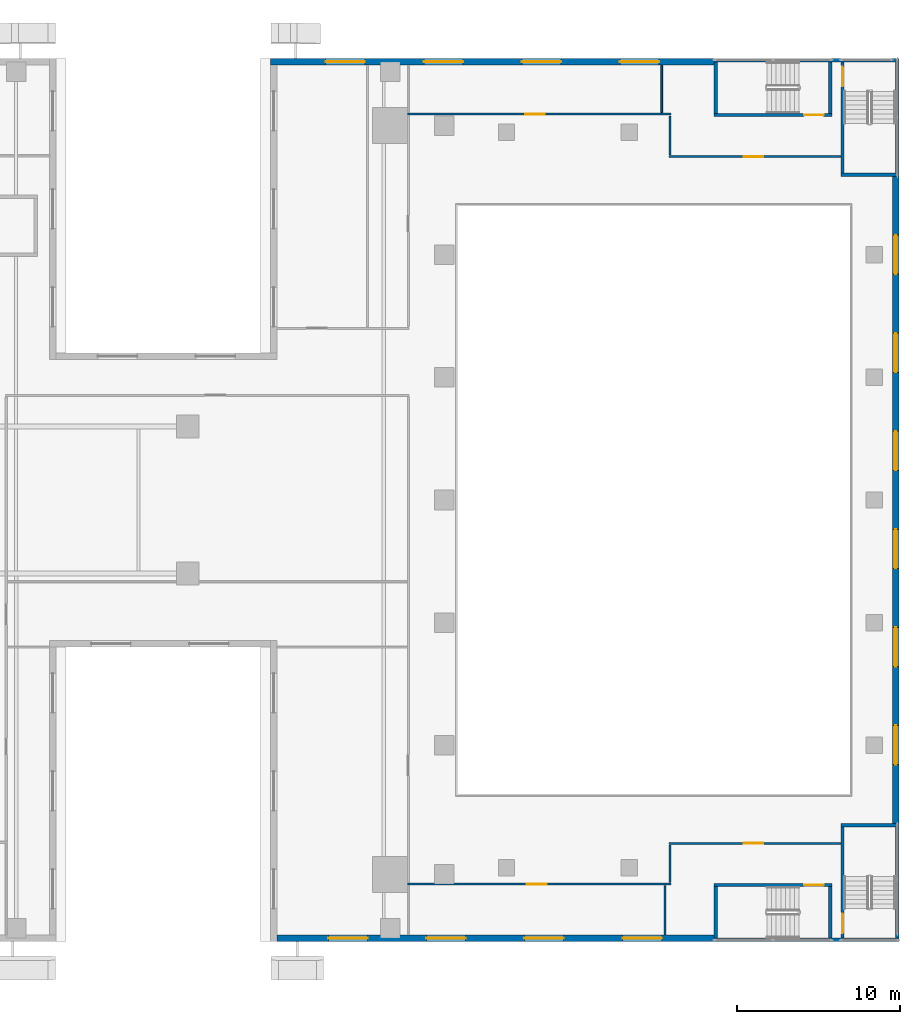
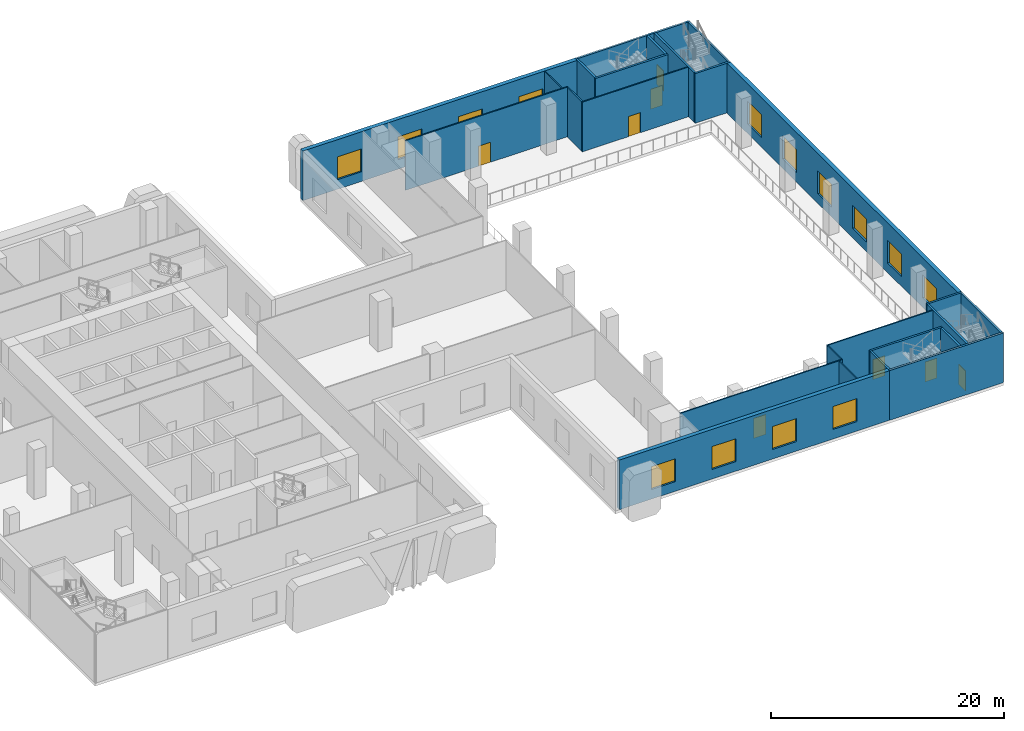
# One storey, part 14 of 23: 25 walls, 14 windows, 8 doors, 22 openings.
"""IFC4 building model written with IfcOpenShell, lengths in metres."""

from ifc_helpers import new_model, si_unit, direction, frame, frame_2d, origin, place, context, subcontext, project, spatial, rectangle, extrude, source, transform, mapped, material, layer, layer_set, type_object, element, fill, save


model = new_model("IFC4")

# Units and contexts
model_context = context("Model", 3, precision=1e-05, world=origin(), true_north=direction((0.0, 1.0)))
body_context = subcontext(model_context, "Body", "Model", "MODEL_VIEW")
ifc_project = project(units=[si_unit("LENGTHUNIT", "METRE"), si_unit("AREAUNIT", "SQUARE_METRE"), si_unit("VOLUMEUNIT", "CUBIC_METRE"), si_unit("PLANEANGLEUNIT", "RADIAN"), si_unit("MASSUNIT", "GRAM", prefix="KILO")], contexts=[model_context])

# Site, building, storey
site_placement = place(None, origin())
site = spatial("IfcSite", under=ifc_project, at=site_placement, CompositionType="ELEMENT")
building_placement = place(site_placement, origin())
building = spatial("IfcBuilding", under=site, at=building_placement, Name="Khomas Fold Tower", CompositionType="ELEMENT")
storey_placement = place(building_placement, frame((0.0, 0.0, 7.5)))
storey = spatial("IfcBuildingStorey", under=building, at=storey_placement, Name="L01", CompositionType="ELEMENT", Elevation=7.5)

# Wall, openings, windows
ifc_material_1 = material(Name="Concrete C40/50", Category="concrete")
ifc_layer_1 = layer(ifc_material_1, 0.39990234375)
ifc_layer_set_1 = layer_set([ifc_layer_1], Name="Concrete C40/50")
wall_type_1 = type_object("IfcWallType", Name="Stone-clad concrete wall 400", PredefinedType="SOLIDWALL", material=ifc_layer_set_1)
shared_shape_1 = source(origin(), body_context, "Body", "SweptSolid", [
    extrude(rectangle(XDim=26.739990234375, YDim=0.39990234375, at=frame_2d((13.3701171875, 0.0))), origin(), (0.0, 0.0, 1.0), 5.199951171875),
])
wall_1_placement = place(storey_placement, frame((42.949951171875, 0.199951171875, 0.0), z_axis=(0.0, 0.0, 1.0), x_axis=(1.0, 0.0, 0.0)))
wall_1 = element("IfcWall", 1, at=wall_1_placement, inside=storey, type_object=wall_type_1, Name="Podium wall", PredefinedType="SOLIDWALL", context=body_context, shape_type="MappedRepresentation", body=[
    mapped(shared_shape_1, transform((0.0, 0.0, 0.0))),
])
shared_shape_2 = source(origin(), body_context, "Body", "SweptSolid", [
    extrude(rectangle(XDim=2.39990234375, YDim=2.39990234375, at=frame_2d((1.199951171875, 1.199951171875))), frame((0.0, 0.2099609375, 0.0), z_axis=(0.0, -1.0, 0.0), x_axis=(1.0, 0.0, 0.0)), (0.0, 0.0, 1.0), 0.419921875),
])
opening_1_placement = place(wall_1_placement, frame((3.14990234375, 0.0, 1.0)))
opening_1 = element("IfcOpeningElement", 2, at=opening_1_placement, cuts=wall_1, Name="Opening PD-WN", PredefinedType="OPENING", context=body_context, shape_type="MappedRepresentation", body=[
    mapped(shared_shape_2, transform((0.0, 0.0, 0.0))),
])
opening_2_placement = place(wall_1_placement, frame((9.14990234375, 0.0, 1.0)))
opening_2 = element("IfcOpeningElement", 3, at=opening_2_placement, cuts=wall_1, Name="Opening PD-WN", PredefinedType="OPENING", context=body_context, shape_type="MappedRepresentation", body=[
    mapped(shared_shape_2, transform((0.0, 0.0, 0.0))),
])
opening_3_placement = place(wall_1_placement, frame((15.14990234375, 0.0, 1.0)))
opening_3 = element("IfcOpeningElement", 4, at=opening_3_placement, cuts=wall_1, Name="Opening PD-WN", PredefinedType="OPENING", context=body_context, shape_type="MappedRepresentation", body=[
    mapped(shared_shape_2, transform((0.0, 0.0, 0.0))),
])
opening_4_placement = place(wall_1_placement, frame((21.14990234375, 0.0, 1.0)))
opening_4 = element("IfcOpeningElement", 5, at=opening_4_placement, cuts=wall_1, Name="Opening PD-WN", PredefinedType="OPENING", context=body_context, shape_type="MappedRepresentation", body=[
    mapped(shared_shape_2, transform((0.0, 0.0, 0.0))),
])
ifc_material_2 = material(Name="Aluminium framed double glazing", Category="aluminium")
window_type = type_object("IfcWindowType", Name="Podium window 2400 x 2400", PartitioningType="SINGLE_PANEL", PredefinedType="WINDOW", material=ifc_material_2)
shared_shape_3 = source(origin(), body_context, "Body", "SweptSolid", [
    extrude(rectangle(XDim=2.39990234375, YDim=2.39990234375, at=frame_2d((1.199951171875, 1.199951171875))), frame((0.0, 0.030029296875, 0.0), z_axis=(0.0, -1.0, 0.0), x_axis=(1.0, 0.0, 0.0)), (0.0, 0.0, 1.0), 0.06005859375),
])
window_1_placement = place(opening_1_placement, origin())
window_1 = element("IfcWindow", 6, at=window_1_placement, inside=storey, type_object=window_type, Name="Podium window", OverallHeight=2.39990234375, OverallWidth=2.39990234375, PartitioningType="SINGLE_PANEL", PredefinedType="WINDOW", context=body_context, shape_type="MappedRepresentation", body=[
    mapped(shared_shape_3, transform((0.0, 0.0, 0.0))),
])
fill(opening_1, window_1)
window_2_placement = place(opening_2_placement, origin())
window_2 = element("IfcWindow", 7, at=window_2_placement, inside=storey, type_object=window_type, Name="Podium window", OverallHeight=2.39990234375, OverallWidth=2.39990234375, PartitioningType="SINGLE_PANEL", PredefinedType="WINDOW", context=body_context, shape_type="MappedRepresentation", body=[
    mapped(shared_shape_3, transform((0.0, 0.0, 0.0))),
])
fill(opening_2, window_2)
window_3_placement = place(opening_3_placement, origin())
window_3 = element("IfcWindow", 8, at=window_3_placement, inside=storey, type_object=window_type, Name="Podium window", OverallHeight=2.39990234375, OverallWidth=2.39990234375, PartitioningType="SINGLE_PANEL", PredefinedType="WINDOW", context=body_context, shape_type="MappedRepresentation", body=[
    mapped(shared_shape_3, transform((0.0, 0.0, 0.0))),
])
fill(opening_3, window_3)
window_4_placement = place(opening_4_placement, origin())
window_4 = element("IfcWindow", 9, at=window_4_placement, inside=storey, type_object=window_type, Name="Podium window", OverallHeight=2.39990234375, OverallWidth=2.39990234375, PartitioningType="SINGLE_PANEL", PredefinedType="WINDOW", context=body_context, shape_type="MappedRepresentation", body=[
    mapped(shared_shape_3, transform((0.0, 0.0, 0.0))),
])
fill(opening_4, window_4)

shared_shape_4 = source(origin(), body_context, "Body", "SweptSolid", [
    extrude(rectangle(XDim=39.580078125, YDim=0.39990234375, at=frame_2d((19.7900390625, 0.0))), origin(), (0.0, 0.0, 1.0), 5.199951171875),
])
wall_2_placement = place(storey_placement, frame((80.800048828125, 7.2099609375, 0.0), z_axis=(0.0, 0.0, 1.0), x_axis=(0.0, 1.0, 0.0)))
wall_2 = element("IfcWall", 10, at=wall_2_placement, inside=storey, type_object=wall_type_1, Name="Podium wall", PredefinedType="SOLIDWALL", context=body_context, shape_type="MappedRepresentation", body=[
    mapped(shared_shape_4, transform((0.0, 0.0, 0.0))),
])
opening_5_placement = place(wall_2_placement, frame((3.60009765625, 0.0, 1.0)))
opening_5 = element("IfcOpeningElement", 11, at=opening_5_placement, cuts=wall_2, Name="Opening PD-WN", PredefinedType="OPENING", context=body_context, shape_type="MappedRepresentation", body=[
    mapped(shared_shape_2, transform((0.0, 0.0, 0.0))),
])
opening_6_placement = place(wall_2_placement, frame((9.60009765625, 0.0, 1.0)))
opening_6 = element("IfcOpeningElement", 12, at=opening_6_placement, cuts=wall_2, Name="Opening PD-WN", PredefinedType="OPENING", context=body_context, shape_type="MappedRepresentation", body=[
    mapped(shared_shape_2, transform((0.0, 0.0, 0.0))),
])
opening_7_placement = place(wall_2_placement, frame((15.60009765625, 0.0, 1.0)))
opening_7 = element("IfcOpeningElement", 13, at=opening_7_placement, cuts=wall_2, Name="Opening PD-WN", PredefinedType="OPENING", context=body_context, shape_type="MappedRepresentation", body=[
    mapped(shared_shape_2, transform((0.0, 0.0, 0.0))),
])
opening_8_placement = place(wall_2_placement, frame((21.60009765625, 0.0, 1.0)))
opening_8 = element("IfcOpeningElement", 14, at=opening_8_placement, cuts=wall_2, Name="Opening PD-WN", PredefinedType="OPENING", context=body_context, shape_type="MappedRepresentation", body=[
    mapped(shared_shape_2, transform((0.0, 0.0, 0.0))),
])
opening_9_placement = place(wall_2_placement, frame((27.60009765625, 0.0, 1.0)))
opening_9 = element("IfcOpeningElement", 15, at=opening_9_placement, cuts=wall_2, Name="Opening PD-WN", PredefinedType="OPENING", context=body_context, shape_type="MappedRepresentation", body=[
    mapped(shared_shape_2, transform((0.0, 0.0, 0.0))),
])
opening_10_placement = place(wall_2_placement, frame((33.60009765625, 0.0, 1.0)))
opening_10 = element("IfcOpeningElement", 16, at=opening_10_placement, cuts=wall_2, Name="Opening PD-WN", PredefinedType="OPENING", context=body_context, shape_type="MappedRepresentation", body=[
    mapped(shared_shape_2, transform((0.0, 0.0, 0.0))),
])
window_5_placement = place(opening_5_placement, origin())
window_5 = element("IfcWindow", 17, at=window_5_placement, inside=storey, type_object=window_type, Name="Podium window", OverallHeight=2.39990234375, OverallWidth=2.39990234375, PartitioningType="SINGLE_PANEL", PredefinedType="WINDOW", context=body_context, shape_type="MappedRepresentation", body=[
    mapped(shared_shape_3, transform((0.0, 0.0, 0.0))),
])
fill(opening_5, window_5)
window_6_placement = place(opening_6_placement, origin())
window_6 = element("IfcWindow", 18, at=window_6_placement, inside=storey, type_object=window_type, Name="Podium window", OverallHeight=2.39990234375, OverallWidth=2.39990234375, PartitioningType="SINGLE_PANEL", PredefinedType="WINDOW", context=body_context, shape_type="MappedRepresentation", body=[
    mapped(shared_shape_3, transform((0.0, 0.0, 0.0))),
])
fill(opening_6, window_6)
window_7_placement = place(opening_7_placement, origin())
window_7 = element("IfcWindow", 19, at=window_7_placement, inside=storey, type_object=window_type, Name="Podium window", OverallHeight=2.39990234375, OverallWidth=2.39990234375, PartitioningType="SINGLE_PANEL", PredefinedType="WINDOW", context=body_context, shape_type="MappedRepresentation", body=[
    mapped(shared_shape_3, transform((0.0, 0.0, 0.0))),
])
fill(opening_7, window_7)
window_8_placement = place(opening_8_placement, origin())
window_8 = element("IfcWindow", 20, at=window_8_placement, inside=storey, type_object=window_type, Name="Podium window", OverallHeight=2.39990234375, OverallWidth=2.39990234375, PartitioningType="SINGLE_PANEL", PredefinedType="WINDOW", context=body_context, shape_type="MappedRepresentation", body=[
    mapped(shared_shape_3, transform((0.0, 0.0, 0.0))),
])
fill(opening_8, window_8)
window_9_placement = place(opening_9_placement, origin())
window_9 = element("IfcWindow", 21, at=window_9_placement, inside=storey, type_object=window_type, Name="Podium window", OverallHeight=2.39990234375, OverallWidth=2.39990234375, PartitioningType="SINGLE_PANEL", PredefinedType="WINDOW", context=body_context, shape_type="MappedRepresentation", body=[
    mapped(shared_shape_3, transform((0.0, 0.0, 0.0))),
])
fill(opening_9, window_9)
window_10_placement = place(opening_10_placement, origin())
window_10 = element("IfcWindow", 22, at=window_10_placement, inside=storey, type_object=window_type, Name="Podium window", OverallHeight=2.39990234375, OverallWidth=2.39990234375, PartitioningType="SINGLE_PANEL", PredefinedType="WINDOW", context=body_context, shape_type="MappedRepresentation", body=[
    mapped(shared_shape_3, transform((0.0, 0.0, 0.0))),
])
fill(opening_10, window_10)

shared_shape_5 = source(origin(), body_context, "Body", "SweptSolid", [
    extrude(rectangle(XDim=27.139892578125, YDim=0.39990234375, at=frame_2d((13.56982421875, 0.0))), origin(), (0.0, 0.0, 1.0), 5.199951171875),
])
wall_3_placement = place(storey_placement, frame((69.68994140625, 53.800048828125, 0.0), z_axis=(0.0, 0.0, 1.0), x_axis=(-1.0, 0.0, 0.0)))
wall_3 = element("IfcWall", 23, at=wall_3_placement, inside=storey, type_object=wall_type_1, Name="Podium wall", PredefinedType="SOLIDWALL", context=body_context, shape_type="MappedRepresentation", body=[
    mapped(shared_shape_5, transform((0.0, 0.0, 0.0))),
])
opening_11_placement = place(wall_3_placement, frame((3.35009765625, 0.0, 1.0)))
opening_11 = element("IfcOpeningElement", 24, at=opening_11_placement, cuts=wall_3, Name="Opening PD-WN", PredefinedType="OPENING", context=body_context, shape_type="MappedRepresentation", body=[
    mapped(shared_shape_2, transform((0.0, 0.0, 0.0))),
])
opening_12_placement = place(wall_3_placement, frame((9.35009765625, 0.0, 1.0)))
opening_12 = element("IfcOpeningElement", 25, at=opening_12_placement, cuts=wall_3, Name="Opening PD-WN", PredefinedType="OPENING", context=body_context, shape_type="MappedRepresentation", body=[
    mapped(shared_shape_2, transform((0.0, 0.0, 0.0))),
])
opening_13_placement = place(wall_3_placement, frame((15.35009765625, 0.0, 1.0)))
opening_13 = element("IfcOpeningElement", 26, at=opening_13_placement, cuts=wall_3, Name="Opening PD-WN", PredefinedType="OPENING", context=body_context, shape_type="MappedRepresentation", body=[
    mapped(shared_shape_2, transform((0.0, 0.0, 0.0))),
])
opening_14_placement = place(wall_3_placement, frame((21.35009765625, 0.0, 1.0)))
opening_14 = element("IfcOpeningElement", 27, at=opening_14_placement, cuts=wall_3, Name="Opening PD-WN", PredefinedType="OPENING", context=body_context, shape_type="MappedRepresentation", body=[
    mapped(shared_shape_2, transform((0.0, 0.0, 0.0))),
])
window_11_placement = place(opening_11_placement, origin())
window_11 = element("IfcWindow", 28, at=window_11_placement, inside=storey, type_object=window_type, Name="Podium window", OverallHeight=2.39990234375, OverallWidth=2.39990234375, PartitioningType="SINGLE_PANEL", PredefinedType="WINDOW", context=body_context, shape_type="MappedRepresentation", body=[
    mapped(shared_shape_3, transform((0.0, 0.0, 0.0))),
])
fill(opening_11, window_11)
window_12_placement = place(opening_12_placement, origin())
window_12 = element("IfcWindow", 29, at=window_12_placement, inside=storey, type_object=window_type, Name="Podium window", OverallHeight=2.39990234375, OverallWidth=2.39990234375, PartitioningType="SINGLE_PANEL", PredefinedType="WINDOW", context=body_context, shape_type="MappedRepresentation", body=[
    mapped(shared_shape_3, transform((0.0, 0.0, 0.0))),
])
fill(opening_12, window_12)
window_13_placement = place(opening_13_placement, origin())
window_13 = element("IfcWindow", 30, at=window_13_placement, inside=storey, type_object=window_type, Name="Podium window", OverallHeight=2.39990234375, OverallWidth=2.39990234375, PartitioningType="SINGLE_PANEL", PredefinedType="WINDOW", context=body_context, shape_type="MappedRepresentation", body=[
    mapped(shared_shape_3, transform((0.0, 0.0, 0.0))),
])
fill(opening_13, window_13)
window_14_placement = place(opening_14_placement, origin())
window_14 = element("IfcWindow", 31, at=window_14_placement, inside=storey, type_object=window_type, Name="Podium window", OverallHeight=2.39990234375, OverallWidth=2.39990234375, PartitioningType="SINGLE_PANEL", PredefinedType="WINDOW", context=body_context, shape_type="MappedRepresentation", body=[
    mapped(shared_shape_3, transform((0.0, 0.0, 0.0))),
])
fill(opening_14, window_14)

# Wall, opening, door
ifc_material_3 = material(Name="Concrete C30/37", Category="concrete")
ifc_layer_2 = layer(ifc_material_3, 0.199951171875)
ifc_layer_set_2 = layer_set([ifc_layer_2], Name="Concrete C30/37")
wall_type_2 = type_object("IfcWallType", Name="Stair wall PW5 200", PredefinedType="PARTITIONING", material=ifc_layer_set_2)
shared_shape_6 = source(origin(), body_context, "Body", "SweptSolid", [
    extrude(rectangle(XDim=7.199951171875, YDim=0.199951171875, at=frame_2d((3.60009765625, 0.0))), origin(), (0.0, 0.0, 1.0), 5.199951171875),
])
wall_4_placement = place(storey_placement, frame((69.699951171875, 3.449951171875, 0.0), z_axis=(0.0, 0.0, 1.0), x_axis=(1.0, 0.0, 0.0)))
wall_4 = element("IfcWall", 32, at=wall_4_placement, inside=storey, type_object=wall_type_2, Name="Stair wall", PredefinedType="PARTITIONING", context=body_context, shape_type="MappedRepresentation", body=[
    mapped(shared_shape_6, transform((0.0, 0.0, 0.0))),
])
shared_shape_7 = source(origin(), body_context, "Body", "SweptSolid", [
    extrude(rectangle(XDim=1.199951171875, YDim=2.10009765625, at=frame_2d((0.60009765625, 1.050048828125))), frame((0.0, 0.10986328125, 0.0), z_axis=(0.0, -1.0, 0.0), x_axis=(1.0, 0.0, 0.0)), (0.0, 0.0, 1.0), 0.219970703125),
])
opening_15_placement = place(wall_4_placement, frame((5.5, 0.0, 0.0)))
opening_15 = element("IfcOpeningElement", 33, at=opening_15_placement, cuts=wall_4, Name="Opening 0018", PredefinedType="OPENING", context=body_context, shape_type="MappedRepresentation", body=[
    mapped(shared_shape_7, transform((0.0, 0.0, 0.0))),
])
ifc_material_4 = material(Name="Steel door leaf", Category="steel")
door_type_1 = type_object("IfcDoorType", Name="Stair door 1200x2100 right-hand", OperationType="SINGLE_SWING_RIGHT", PredefinedType="DOOR", material=ifc_material_4)
shared_shape_8 = source(origin(), body_context, "Body", "SweptSolid", [
    extrude(rectangle(XDim=1.199951171875, YDim=2.10009765625, at=frame_2d((0.60009765625, 1.050048828125))), frame((0.0, 0.02490234375, 0.0), z_axis=(0.0, -1.0, 0.0), x_axis=(1.0, 0.0, 0.0)), (0.0, 0.0, 1.0), 0.050048828125),
])
door_1_placement = place(opening_15_placement, origin())
door_1 = element("IfcDoor", 34, at=door_1_placement, inside=storey, type_object=door_type_1, Name="Stair door", OperationType="SINGLE_SWING_RIGHT", OverallHeight=2.10009765625, OverallWidth=1.199951171875, PredefinedType="DOOR", context=body_context, shape_type="MappedRepresentation", body=[
    mapped(shared_shape_8, transform((0.0, 0.0, 0.0))),
])
fill(opening_15, door_1)

wall_5_placement = place(storey_placement, frame((69.699951171875, 50.550048828125, 0.0), z_axis=(0.0, 0.0, 1.0), x_axis=(1.0, 0.0, 0.0)))
wall_5 = element("IfcWall", 35, at=wall_5_placement, inside=storey, type_object=wall_type_2, Name="Stair wall", PredefinedType="PARTITIONING", context=body_context, shape_type="MappedRepresentation", body=[
    mapped(shared_shape_6, transform((0.0, 0.0, 0.0))),
])
opening_16_placement = place(wall_5_placement, frame((5.5, 0.0, 0.0)))
opening_16 = element("IfcOpeningElement", 36, at=opening_16_placement, cuts=wall_5, Name="Opening 0017", PredefinedType="OPENING", context=body_context, shape_type="MappedRepresentation", body=[
    mapped(shared_shape_7, transform((0.0, 0.0, 0.0))),
])
ifc_material_5 = material(Name="Steel door leaf", Category="steel")
door_type_2 = type_object("IfcDoorType", Name="Stair door 1200x2100 left-hand", OperationType="SINGLE_SWING_LEFT", PredefinedType="DOOR", material=ifc_material_5)
door_2_placement = place(opening_16_placement, origin())
door_2 = element("IfcDoor", 37, at=door_2_placement, inside=storey, type_object=door_type_2, Name="Stair door", OperationType="SINGLE_SWING_LEFT", OverallHeight=2.10009765625, OverallWidth=1.199951171875, PredefinedType="DOOR", context=body_context, shape_type="MappedRepresentation", body=[
    mapped(shared_shape_8, transform((0.0, 0.0, 0.0))),
])
fill(opening_16, door_2)

# Walls
shared_shape_9 = source(origin(), body_context, "Body", "SweptSolid", [
    extrude(rectangle(XDim=3.150146484375, YDim=0.199951171875, at=frame_2d((1.5751953125, 0.0))), origin(), (0.0, 0.0, 1.0), 5.199951171875),
])
for number, where, z_axis, x_axis, name in (
    (38, (69.800048828125, 0.199951171875, 0.0), (0.0, 0.0, 1.0), (0.0, 1.0, 0.0), "Stair wall"),
    (39, (76.800048828125, 0.199951171875, 0.0), (0.0, 0.0, 1.0), (0.0, 1.0, 0.0), "Stair wall"),
    (40, (69.800048828125, 50.64990234375, 0.0), (0.0, 0.0, 1.0), (0.0, 1.0, 0.0), "Stair wall"),
    (41, (76.800048828125, 50.64990234375, 0.0), (0.0, 0.0, 1.0), (0.0, 1.0, 0.0), "Stair wall"),
):
    element("IfcWall", number, at=place(storey_placement, frame(where, z_axis=z_axis, x_axis=x_axis)), inside=storey, type_object=wall_type_2, Name=name, PredefinedType="PARTITIONING", context=body_context, shape_type="MappedRepresentation", body=[
        mapped(shared_shape_9, transform((0.0, 0.0, 0.0))),
    ])
shared_shape_10 = source(origin(), body_context, "Body", "SweptSolid", [
    extrude(rectangle(XDim=3.550048828125, YDim=0.199951171875, at=frame_2d((1.77490234375, 0.0))), origin(), (0.0, 0.0, 1.0), 5.199951171875),
])
for number, where, z_axis, x_axis, name in (
    (42, (77.449951171875, 7.10009765625, 0.0), (0.0, 0.0, 1.0), (1.0, 0.0, 0.0), "Stair wall"),
    (43, (77.449951171875, 46.89990234375, 0.0), (0.0, 0.0, 1.0), (1.0, 0.0, 0.0), "Stair wall"),
):
    element("IfcWall", number, at=place(storey_placement, frame(where, z_axis=z_axis, x_axis=x_axis)), inside=storey, type_object=wall_type_2, Name=name, PredefinedType="PARTITIONING", context=body_context, shape_type="MappedRepresentation", body=[
        mapped(shared_shape_10, transform((0.0, 0.0, 0.0))),
    ])

# Wall, opening, door
shared_shape_11 = source(origin(), body_context, "Body", "SweptSolid", [
    extrude(rectangle(XDim=6.800048828125, YDim=0.199951171875, at=frame_2d((3.39990234375, 0.0))), origin(), (0.0, 0.0, 1.0), 5.199951171875),
])
wall_6_placement = place(storey_placement, frame((77.550048828125, 0.199951171875, 0.0), z_axis=(0.0, 0.0, 1.0), x_axis=(0.0, 1.0, 0.0)))
wall_6 = element("IfcWall", 44, at=wall_6_placement, inside=storey, type_object=wall_type_2, Name="Stair wall", PredefinedType="PARTITIONING", context=body_context, shape_type="MappedRepresentation", body=[
    mapped(shared_shape_11, transform((0.0, 0.0, 0.0))),
])
opening_17_placement = place(wall_6_placement, frame((0.300048828125, 0.0, 0.0)))
opening_17 = element("IfcOpeningElement", 45, at=opening_17_placement, cuts=wall_6, Name="Opening 0018", PredefinedType="OPENING", context=body_context, shape_type="MappedRepresentation", body=[
    mapped(shared_shape_7, transform((0.0, 0.0, 0.0))),
])
door_3_placement = place(opening_17_placement, origin())
door_3 = element("IfcDoor", 46, at=door_3_placement, inside=storey, type_object=door_type_1, Name="Stair door", OperationType="SINGLE_SWING_RIGHT", OverallHeight=2.10009765625, OverallWidth=1.199951171875, PredefinedType="DOOR", context=body_context, shape_type="MappedRepresentation", body=[
    mapped(shared_shape_8, transform((0.0, 0.0, 0.0))),
])
fill(opening_17, door_3)

# Wall
wall_7_placement = place(storey_placement, frame((80.89990234375, 0.199951171875, 0.0), z_axis=(0.0, 0.0, 1.0), x_axis=(0.0, 1.0, 0.0)))
element("IfcWall", 47, at=wall_7_placement, inside=storey, type_object=wall_type_2, Name="Stair wall", PredefinedType="PARTITIONING", context=body_context, shape_type="MappedRepresentation", body=[
    mapped(shared_shape_11, transform((0.0, 0.0, 0.0))),
])

# Wall, opening, door
wall_8_placement = place(storey_placement, frame((77.550048828125, 47.0, 0.0), z_axis=(0.0, 0.0, 1.0), x_axis=(0.0, 1.0, 0.0)))
wall_8 = element("IfcWall", 48, at=wall_8_placement, inside=storey, type_object=wall_type_2, Name="Stair wall", PredefinedType="PARTITIONING", context=body_context, shape_type="MappedRepresentation", body=[
    mapped(shared_shape_11, transform((0.0, 0.0, 0.0))),
])
opening_18_placement = place(wall_8_placement, frame((5.300048828125, 0.0, 0.0)))
opening_18 = element("IfcOpeningElement", 49, at=opening_18_placement, cuts=wall_8, Name="Opening 0018", PredefinedType="OPENING", context=body_context, shape_type="MappedRepresentation", body=[
    mapped(shared_shape_7, transform((0.0, 0.0, 0.0))),
])
door_4_placement = place(opening_18_placement, origin())
door_4 = element("IfcDoor", 50, at=door_4_placement, inside=storey, type_object=door_type_1, Name="Stair door", OperationType="SINGLE_SWING_RIGHT", OverallHeight=2.10009765625, OverallWidth=1.199951171875, PredefinedType="DOOR", context=body_context, shape_type="MappedRepresentation", body=[
    mapped(shared_shape_8, transform((0.0, 0.0, 0.0))),
])
fill(opening_18, door_4)

# Walls
wall_9_placement = place(storey_placement, frame((80.89990234375, 47.0, 0.0), z_axis=(0.0, 0.0, 1.0), x_axis=(0.0, 1.0, 0.0)))
element("IfcWall", 51, at=wall_9_placement, inside=storey, type_object=wall_type_2, Name="Stair wall", PredefinedType="PARTITIONING", context=body_context, shape_type="MappedRepresentation", body=[
    mapped(shared_shape_11, transform((0.0, 0.0, 0.0))),
])
shared_shape_12 = source(origin(), body_context, "Body", "SweptSolid", [
    extrude(rectangle(XDim=11.300048828125, YDim=0.199951171875, at=frame_2d((5.64990234375, 0.0))), origin(), (0.0, 0.0, 1.0), 5.199951171875),
])
for number, where, z_axis, x_axis, name in (
    (52, (69.699951171875, 0.10009765625, 0.0), (0.0, 0.0, 1.0), (1.0, 0.0, 0.0), "Stair wall"),
    (53, (69.699951171875, 53.89990234375, 0.0), (0.0, 0.0, 1.0), (1.0, 0.0, 0.0), "Stair wall"),
):
    element("IfcWall", number, at=place(storey_placement, frame(where, z_axis=z_axis, x_axis=x_axis)), inside=storey, type_object=wall_type_2, Name=name, PredefinedType="PARTITIONING", context=body_context, shape_type="MappedRepresentation", body=[
        mapped(shared_shape_12, transform((0.0, 0.0, 0.0))),
    ])
ifc_material_6 = material(Name="Plasterboard partition")
ifc_layer_3 = layer(ifc_material_6, 0.10009765625)
ifc_layer_set_3 = layer_set([ifc_layer_3], Name="Plasterboard partition")
wall_type_3 = type_object("IfcWallType", Name="Partition PW1 100", PredefinedType="PARTITIONING", material=ifc_layer_set_3)
shared_shape_13 = source(origin(), body_context, "Body", "SweptSolid", [
    extrude(rectangle(XDim=3.0, YDim=0.10009765625, at=frame_2d((1.5, 0.0))), origin(), (0.0, 0.0, 1.0), 5.199951171875),
])
wall_10_placement = place(storey_placement, frame((66.699951171875, 0.39990234375, 0.0), z_axis=(0.0, 0.0, 1.0), x_axis=(0.0, 1.0, 0.0)))
element("IfcWall", 54, at=wall_10_placement, inside=storey, type_object=wall_type_3, Name="Partition", PredefinedType="PARTITIONING", context=body_context, shape_type="MappedRepresentation", body=[
    mapped(shared_shape_13, transform((0.0, 0.0, 0.0))),
])

# Wall, opening, door
ifc_material_7 = material(Name="Plasterboard partition")
ifc_layer_4 = layer(ifc_material_7, 0.125)
ifc_layer_set_4 = layer_set([ifc_layer_4], Name="Plasterboard partition")
wall_type_4 = type_object("IfcWallType", Name="Partition PW2 125", PredefinedType="PARTITIONING", material=ifc_layer_set_4)
shared_shape_14 = source(origin(), body_context, "Body", "SweptSolid", [
    extrude(rectangle(XDim=16.10009765625, YDim=0.125, at=frame_2d((8.050048828125, 0.0))), origin(), (0.0, 0.0, 1.0), 5.199951171875),
])
wall_11_placement = place(storey_placement, frame((50.949951171875, 3.5, 0.0), z_axis=(0.0, 0.0, 1.0), x_axis=(1.0, 0.0, 0.0)))
wall_11 = element("IfcWall", 55, at=wall_11_placement, inside=storey, type_object=wall_type_4, Name="Partition", PredefinedType="PARTITIONING", context=body_context, shape_type="MappedRepresentation", body=[
    mapped(shared_shape_14, transform((0.0, 0.0, 0.0))),
])
shared_shape_15 = source(origin(), body_context, "Body", "SweptSolid", [
    extrude(rectangle(XDim=1.199951171875, YDim=2.10009765625, at=frame_2d((0.60009765625, 1.050048828125))), frame((0.0, 0.072509765625, 0.0), z_axis=(0.0, -1.0, 0.0), x_axis=(1.0, 0.0, 0.0)), (0.0, 0.0, 1.0), 0.14501953125),
])
opening_19_placement = place(wall_11_placement, frame((7.300048828125, 0.0, 0.0)))
opening_19 = element("IfcOpeningElement", 56, at=opening_19_placement, cuts=wall_11, Name="Opening 0001", PredefinedType="OPENING", context=body_context, shape_type="MappedRepresentation", body=[
    mapped(shared_shape_15, transform((0.0, 0.0, 0.0))),
])
ifc_material_8 = material(Name="Timber door leaf", Category="wood")
door_type_3 = type_object("IfcDoorType", Name="Door 1200x2100 right-hand", OperationType="SINGLE_SWING_RIGHT", PredefinedType="DOOR", material=ifc_material_8)
door_5_placement = place(opening_19_placement, origin())
door_5 = element("IfcDoor", 57, at=door_5_placement, inside=storey, type_object=door_type_3, Name="Door", OperationType="SINGLE_SWING_RIGHT", OverallHeight=2.10009765625, OverallWidth=1.199951171875, PredefinedType="DOOR", context=body_context, shape_type="MappedRepresentation", body=[
    mapped(shared_shape_8, transform((0.0, 0.0, 0.0))),
])
fill(opening_19, door_5)

wall_12_placement = place(storey_placement, frame((50.949951171875, 50.60009765625, 0.0), z_axis=(0.0, 0.0, 1.0), x_axis=(1.0, 0.0, 0.0)))
wall_12 = element("IfcWall", 58, at=wall_12_placement, inside=storey, type_object=wall_type_4, Name="Partition", PredefinedType="PARTITIONING", context=body_context, shape_type="MappedRepresentation", body=[
    mapped(shared_shape_14, transform((0.0, 0.0, 0.0))),
])
opening_20_placement = place(wall_12_placement, frame((7.199951171875, 0.0, 0.0)))
opening_20 = element("IfcOpeningElement", 59, at=opening_20_placement, cuts=wall_12, Name="Opening 0013", PredefinedType="OPENING", context=body_context, shape_type="MappedRepresentation", body=[
    mapped(shared_shape_15, transform((0.0, 0.0, 0.0))),
])
ifc_material_9 = material(Name="Timber door leaf", Category="wood")
door_type_4 = type_object("IfcDoorType", Name="Door 1200x2100 left-hand", OperationType="SINGLE_SWING_LEFT", PredefinedType="DOOR", material=ifc_material_9)
door_6_placement = place(opening_20_placement, origin())
door_6 = element("IfcDoor", 60, at=door_6_placement, inside=storey, type_object=door_type_4, Name="Door", OperationType="SINGLE_SWING_LEFT", OverallHeight=2.10009765625, OverallWidth=1.199951171875, PredefinedType="DOOR", context=body_context, shape_type="MappedRepresentation", body=[
    mapped(shared_shape_8, transform((0.0, 0.0, 0.0))),
])
fill(opening_20, door_6)

# Wall
shared_shape_16 = source(origin(), body_context, "Body", "SweptSolid", [
    extrude(rectangle(XDim=2.2998046875, YDim=0.125, at=frame_2d((1.14990234375, 0.0))), origin(), (0.0, 0.0, 1.0), 5.199951171875),
])
wall_13_placement = place(storey_placement, frame((67.0, 3.60009765625, 0.0), z_axis=(0.0, 0.0, 1.0), x_axis=(0.0, 1.0, 0.0)))
element("IfcWall", 61, at=wall_13_placement, inside=storey, type_object=wall_type_4, Name="Partition", PredefinedType="PARTITIONING", context=body_context, shape_type="MappedRepresentation", body=[
    mapped(shared_shape_16, transform((0.0, 0.0, 0.0))),
])

# Wall, opening, door
shared_shape_17 = source(origin(), body_context, "Body", "SweptSolid", [
    extrude(rectangle(XDim=10.5, YDim=0.125, at=frame_2d((5.25, 0.0))), origin(), (0.0, 0.0, 1.0), 5.199951171875),
])
wall_14_placement = place(storey_placement, frame((66.949951171875, 6.0, 0.0), z_axis=(0.0, 0.0, 1.0), x_axis=(1.0, 0.0, 0.0)))
wall_14 = element("IfcWall", 62, at=wall_14_placement, inside=storey, type_object=wall_type_4, Name="Partition", PredefinedType="PARTITIONING", context=body_context, shape_type="MappedRepresentation", body=[
    mapped(shared_shape_17, transform((0.0, 0.0, 0.0))),
])
opening_21_placement = place(wall_14_placement, frame((4.550048828125, 0.0, 0.0)))
opening_21 = element("IfcOpeningElement", 63, at=opening_21_placement, cuts=wall_14, Name="Opening 0013", PredefinedType="OPENING", context=body_context, shape_type="MappedRepresentation", body=[
    mapped(shared_shape_15, transform((0.0, 0.0, 0.0))),
])
door_7_placement = place(opening_21_placement, origin())
door_7 = element("IfcDoor", 64, at=door_7_placement, inside=storey, type_object=door_type_4, Name="Door", OperationType="SINGLE_SWING_LEFT", OverallHeight=2.10009765625, OverallWidth=1.199951171875, PredefinedType="DOOR", context=body_context, shape_type="MappedRepresentation", body=[
    mapped(shared_shape_8, transform((0.0, 0.0, 0.0))),
])
fill(opening_21, door_7)

wall_15_placement = place(storey_placement, frame((66.949951171875, 48.0, 0.0), z_axis=(0.0, 0.0, 1.0), x_axis=(1.0, 0.0, 0.0)))
wall_15 = element("IfcWall", 65, at=wall_15_placement, inside=storey, type_object=wall_type_4, Name="Partition", PredefinedType="PARTITIONING", context=body_context, shape_type="MappedRepresentation", body=[
    mapped(shared_shape_17, transform((0.0, 0.0, 0.0))),
])
opening_22_placement = place(wall_15_placement, frame((4.550048828125, 0.0, 0.0)))
opening_22 = element("IfcOpeningElement", 66, at=opening_22_placement, cuts=wall_15, Name="Opening 0001", PredefinedType="OPENING", context=body_context, shape_type="MappedRepresentation", body=[
    mapped(shared_shape_15, transform((0.0, 0.0, 0.0))),
])
door_8_placement = place(opening_22_placement, origin())
door_8 = element("IfcDoor", 67, at=door_8_placement, inside=storey, type_object=door_type_3, Name="Door", OperationType="SINGLE_SWING_RIGHT", OverallHeight=2.10009765625, OverallWidth=1.199951171875, PredefinedType="DOOR", context=body_context, shape_type="MappedRepresentation", body=[
    mapped(shared_shape_8, transform((0.0, 0.0, 0.0))),
])
fill(opening_22, door_8)

# Walls
shared_shape_18 = source(origin(), body_context, "Body", "SweptSolid", [
    extrude(rectangle(XDim=2.39990234375, YDim=0.125, at=frame_2d((1.199951171875, 0.0))), origin(), (0.0, 0.0, 1.0), 5.199951171875),
])
wall_16_placement = place(storey_placement, frame((67.0, 48.10009765625, 0.0), z_axis=(0.0, 0.0, 1.0), x_axis=(0.0, 1.0, 0.0)))
element("IfcWall", 68, at=wall_16_placement, inside=storey, type_object=wall_type_4, Name="Partition", PredefinedType="PARTITIONING", context=body_context, shape_type="MappedRepresentation", body=[
    mapped(shared_shape_18, transform((0.0, 0.0, 0.0))),
])
shared_shape_19 = source(origin(), body_context, "Body", "SweptSolid", [
    extrude(rectangle(XDim=2.900146484375, YDim=0.10009765625, at=frame_2d((1.4501953125, 0.0))), origin(), (0.0, 0.0, 1.0), 5.199951171875),
])
wall_17_placement = place(storey_placement, frame((66.5, 50.699951171875, 0.0), z_axis=(0.0, 0.0, 1.0), x_axis=(0.0, 1.0, 0.0)))
element("IfcWall", 69, at=wall_17_placement, inside=storey, type_object=wall_type_3, Name="Partition", PredefinedType="PARTITIONING", context=body_context, shape_type="MappedRepresentation", body=[
    mapped(shared_shape_19, transform((0.0, 0.0, 0.0))),
])

save(model, "model.ifc")
